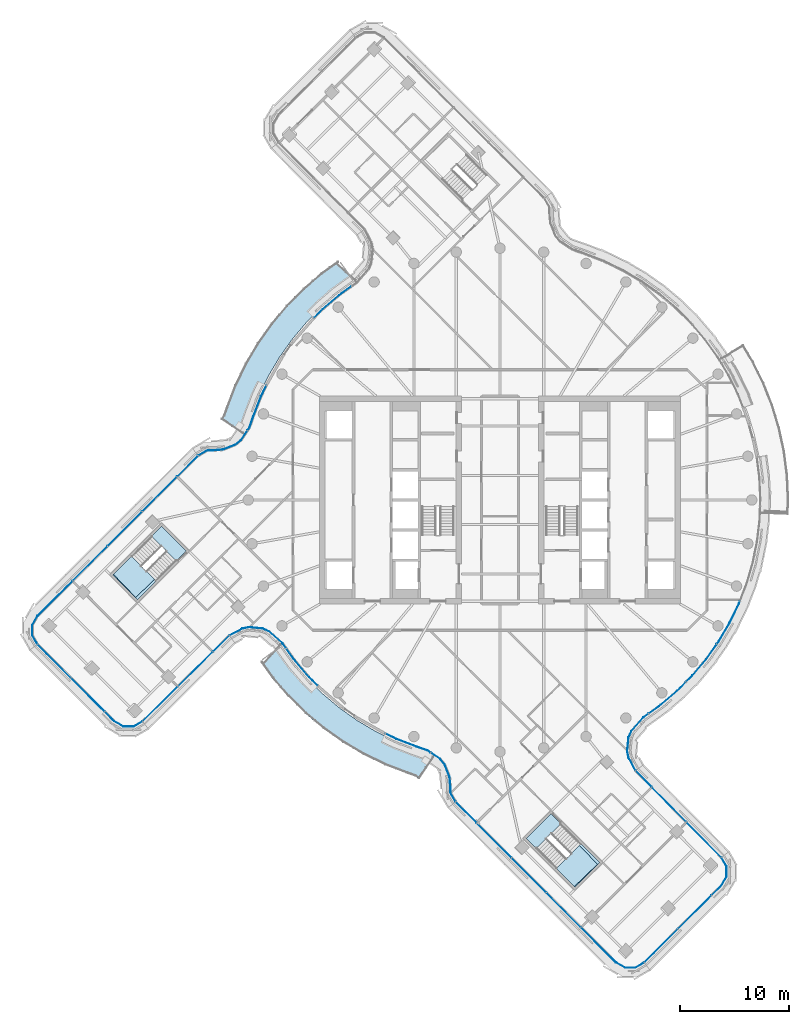
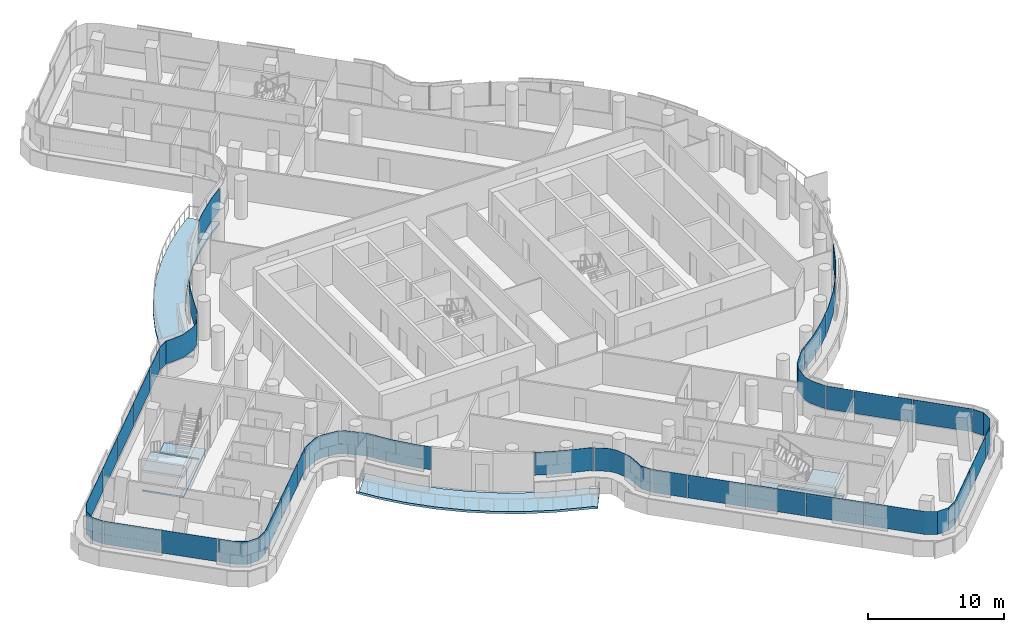
# One storey, part 16 of 31: 33 plates, 6 slabs, 11 elements without a shape of their own.
"""IFC4 building model written with IfcOpenShell, lengths in metres."""

from ifc_helpers import new_model, si_unit, direction, frame, origin, place, context, subcontext, project, spatial, polyline, outline, extrude, material, layer, layer_set, type_object, element, aggregate, save


model = new_model("IFC4")

# Units and contexts
model_context = context("Model", 3, precision=1e-05, world=origin(), true_north=direction((0.0, 1.0)))
body_context = subcontext(model_context, "Body", "Model", "MODEL_VIEW")
ifc_project = project(units=[si_unit("LENGTHUNIT", "METRE"), si_unit("AREAUNIT", "SQUARE_METRE"), si_unit("VOLUMEUNIT", "CUBIC_METRE"), si_unit("PLANEANGLEUNIT", "RADIAN"), si_unit("MASSUNIT", "GRAM", prefix="KILO")], contexts=[model_context])

# Site, building, storey
site_placement = place(None, origin())
site = spatial("IfcSite", under=ifc_project, at=site_placement, CompositionType="ELEMENT")
building_placement = place(site_placement, origin())
building = spatial("IfcBuilding", under=site, at=building_placement, Name="Tamarind Cross Interchange Tower", CompositionType="ELEMENT")
storey_placement = place(building_placement, frame((0.0, 0.0, 196.89990234375)))
storey = spatial("IfcBuildingStorey", under=building, at=storey_placement, Name="L49", CompositionType="ELEMENT", Elevation=196.89990234375)

# Slabs
ifc_material_1 = material(Name="Precast concrete C40", Category="concrete")
ifc_layer_1 = layer(ifc_material_1, 0.199951171875)
ifc_layer_set_1 = layer_set([ifc_layer_1], Name="Precast concrete C40")
slab_type_1 = type_object("IfcSlabType", Name="Balcony slab", PredefinedType="BASESLAB", material=ifc_layer_set_1)
slab_1_placement = place(storey_placement, frame((0.0, 0.0, -0.199951171875)))
element("IfcSlab", 1, at=slab_1_placement, inside=storey, type_object=slab_type_1, Name="SLB-L49-BAL06", PredefinedType="BASESLAB", context=body_context, shape_type="SweptSolid", body=[
    extrude(outline(polyline([(-13.2080078125, 20.047119140625), (-13.239990234375, 20.01123046875), (-14.820068359375, 18.87255859375), (-16.327880859375, 17.584228515625), (-17.72412109375, 16.17578125), (-18.99951171875, 14.656982421875), (-20.14501953125, 13.0380859375), (-21.15283203125, 11.329833984375), (-22.01611328125, 9.54443359375), (-22.72900390625, 7.69384765625), (-23.072265625, 6.697998046875), (-23.47216796875, 6.101318359375), (-25.4658203125, 7.4375), (-25.239501953125, 7.77490234375), (-24.984130859375, 8.516357421875), (-24.219970703125, 10.499755859375), (-23.270263671875, 12.464111328125), (-22.161376953125, 14.343017578125), (-20.9013671875, 16.124267578125), (-19.498291015625, 17.795166015625), (-17.96240234375, 19.344482421875), (-16.303466796875, 20.76171875), (-14.859619140625, 21.80224609375), (-15.0048828125, 21.638427734375), (-13.2080078125, 20.047119140625)])), origin(), (0.0, 0.0, 1.0), 0.199951171875),
])
slab_2_placement = place(storey_placement, frame((0.0, 0.0, -0.199951171875)))
element("IfcSlab", 2, at=slab_2_placement, inside=storey, type_object=slab_type_1, Name="SLB-L49-BAL10", PredefinedType="BASESLAB", context=body_context, shape_type="SweptSolid", body=[
    extrude(outline(polyline([(-20.047119140625, -13.2080078125), (-20.01123046875, -13.239990234375), (-18.87255859375, -14.820068359375), (-17.584228515625, -16.327880859375), (-16.17578125, -17.72412109375), (-14.656982421875, -18.99951171875), (-13.0380859375, -20.14501953125), (-11.329833984375, -21.15283203125), (-9.54443359375, -22.01611328125), (-7.69384765625, -22.72900390625), (-6.697998046875, -23.072265625), (-6.101318359375, -23.47216796875), (-7.4375, -25.4658203125), (-7.77490234375, -25.239501953125), (-8.516357421875, -24.984130859375), (-10.499755859375, -24.219970703125), (-12.464111328125, -23.270263671875), (-14.343017578125, -22.161376953125), (-16.124267578125, -20.9013671875), (-17.795166015625, -19.498291015625), (-19.344482421875, -17.96240234375), (-20.76171875, -16.303466796875), (-21.80224609375, -14.859619140625), (-21.638427734375, -15.0048828125), (-20.047119140625, -13.2080078125)])), origin(), (0.0, 0.0, 1.0), 0.199951171875),
])
ifc_material_2 = material(Name="Concrete C35", Category="concrete")
ifc_layer_2 = layer(ifc_material_2, 0.139892578125)
ifc_layer_set_2 = layer_set([ifc_layer_2], Name="Concrete C35")
slab_type_2 = type_object("IfcSlabType", Name="Composite slab 140 Concrete C35", PredefinedType="FLOOR", material=ifc_layer_set_2)
slab_3_placement = place(storey_placement, frame((0.0, 0.0, -0.139892578125)))
element("IfcSlab", 3, at=slab_3_placement, inside=storey, type_object=slab_type_2, Name="Floor slab L49", PredefinedType="FLOOR", context=body_context, shape_type="SweptSolid", body=[
    extrude(outline(polyline([(-28.65283203125, -4.658447265625), (-30.91259765625, -2.392578125), (-31.783203125, -3.260986328125), (-31.841552734375, -3.319091796875), (-29.701904296875, -5.464599609375), (-33.277587890625, -8.9033203125), (-35.3154296875, -6.7841796875), (-35.373046875, -6.841796875), (-33.11328125, -9.107421875), (-28.65283203125, -4.658447265625)])), origin(), (0.0, 0.0, 1.0), 0.139892578125),
])
slab_4_placement = place(storey_placement, frame((0.0, 0.0, -0.139892578125)))
element("IfcSlab", 4, at=slab_4_placement, inside=storey, type_object=slab_type_2, Name="Floor slab L49", PredefinedType="FLOOR", context=body_context, shape_type="SweptSolid", body=[
    extrude(outline(polyline([(2.392578125, -30.91259765625), (3.260986328125, -31.783203125), (3.319091796875, -31.841552734375), (5.464599609375, -29.701904296875), (8.9033203125, -33.277587890625), (6.7841796875, -35.3154296875), (6.841796875, -35.373046875), (9.107421875, -33.11328125), (4.658447265625, -28.65283203125), (2.392578125, -30.91259765625)])), origin(), (0.0, 0.0, 1.0), 0.139892578125),
])

# Stair, slab
ifc_material_3 = material(Name="Exit stair")
stair_type = type_object("IfcStairType", Name="Exit stair", PredefinedType="HALF_TURN_STAIR", material=ifc_material_3)
stair_1_placement = place(storey_placement, origin())
stair_1 = element("IfcStair", 5, at=stair_1_placement, inside=storey, type_object=stair_type, Name="L49 exit stair ST5", PredefinedType="HALF_TURN_STAIR")
ifc_material_4 = material(Name="Concrete C40", Category="concrete")
ifc_layer_3 = layer(ifc_material_4, 0.199951171875)
ifc_layer_set_3 = layer_set([ifc_layer_3], Name="Concrete C40")
slab_type_3 = type_object("IfcSlabType", Name="Stair landing", PredefinedType="LANDING", material=ifc_layer_set_3)
slab_5_placement = place(storey_placement, frame((0.0, 0.0, 1.60009765625)))
slab_5 = element("IfcSlab", 6, at=slab_5_placement, type_object=slab_type_3, Name="ST5 landing 1", PredefinedType="LANDING", context=body_context, shape_type="SweptSolid", body=[
    extrude(outline(polyline([(-33.665283203125, -5.138427734375), (-35.373046875, -6.841796875), (-33.11328125, -9.107421875), (-31.405517578125, -7.404052734375), (-33.665283203125, -5.138427734375)])), origin(), (0.0, 0.0, 1.0), 0.199951171875),
])
aggregate(stair_1, [slab_5])

stair_2_placement = place(storey_placement, origin())
stair_2 = element("IfcStair", 7, at=stair_2_placement, inside=storey, type_object=stair_type, Name="L49 exit stair ST6", PredefinedType="HALF_TURN_STAIR")
slab_6_placement = place(storey_placement, frame((0.0, 0.0, 1.60009765625)))
slab_6 = element("IfcSlab", 8, at=slab_6_placement, type_object=slab_type_3, Name="ST6 landing 1", PredefinedType="LANDING", context=body_context, shape_type="SweptSolid", body=[
    extrude(outline(polyline([(5.138427734375, -33.665283203125), (6.841796875, -35.373046875), (9.107421875, -33.11328125), (7.404052734375, -31.405517578125), (5.138427734375, -33.665283203125)])), origin(), (0.0, 0.0, 1.0), 0.199951171875),
])
aggregate(stair_2, [slab_6])

# Curtain wall, plates
ifc_material_5 = material(Name="Aluminium 6063-T6", Category="aluminium")
ifc_layer_4 = layer(ifc_material_5, 0.139892578125)
ifc_layer_set_4 = layer_set([ifc_layer_4], Name="Aluminium 6063-T6")
curtain_wall_type = type_object("IfcCurtainWallType", Name="Hotel curtain wall, 4.5 m bays", PredefinedType="NOTDEFINED", material=ifc_layer_set_4)
curtain_wall_1_placement = place(storey_placement, origin())
curtain_wall_1 = element("IfcCurtainWall", 9, at=curtain_wall_1_placement, inside=storey, type_object=curtain_wall_type, Name="CWS-L49-00", PredefinedType="NOTDEFINED")
ifc_material_6 = material(Name="Laminated low-e glass 6+1.52+6", Category="glass")
ifc_layer_5 = layer(ifc_material_6, 0.02392578125)
ifc_layer_set_5 = layer_set([ifc_layer_5], Name="Laminated low-e glass 6+1.52+6")
plate_type = type_object("IfcPlateType", Name="Vision panel CW2", PredefinedType="CURTAIN_PANEL", material=ifc_layer_set_5)
plate_1_placement = place(storey_placement, frame((0.0, 0.0, 1.400146484375)))
plate_1 = element("IfcPlate", 10, at=plate_1_placement, type_object=plate_type, Name="CWP-L49-00-00", PredefinedType="CURTAIN_PANEL", context=body_context, shape_type="SweptSolid", body=[
    extrude(outline(polyline([(13.192138671875, -42.226318359375), (16.226318359375, -39.199951171875), (16.2431640625, -39.216796875), (13.208984375, -42.243408203125), (13.192138671875, -42.226318359375)])), origin(), (0.0, 0.0, 1.0), 2.06005859375),
])
plate_2_placement = place(storey_placement, frame((0.0, 0.0, 1.400146484375)))
plate_2 = element("IfcPlate", 11, at=plate_2_placement, type_object=plate_type, Name="CWP-L49-00-01", PredefinedType="CURTAIN_PANEL", context=body_context, shape_type="SweptSolid", body=[
    extrude(outline(polyline([(16.268798828125, -39.157470703125), (19.302978515625, -36.131103515625), (19.320068359375, -36.14794921875), (16.28564453125, -39.174560546875), (16.268798828125, -39.157470703125)])), origin(), (0.0, 0.0, 1.0), 2.06005859375),
])
plate_3_placement = place(storey_placement, frame((0.0, 0.0, 1.400146484375)))
plate_3 = element("IfcPlate", 12, at=plate_3_placement, type_object=plate_type, Name="CWP-L49-00-02", PredefinedType="CURTAIN_PANEL", context=body_context, shape_type="SweptSolid", body=[
    extrude(outline(polyline([(19.345458984375, -36.088623046875), (20.212646484375, -35.223876953125), (20.68896484375, -34.4013671875), (20.68994140625, -33.479736328125), (20.229736328125, -32.68017578125), (20.250732421875, -32.668212890625), (20.714111328125, -33.47314453125), (20.712890625, -34.40771484375), (20.231689453125, -35.238525390625), (19.362548828125, -36.105712890625), (19.345458984375, -36.088623046875)])), origin(), (0.0, 0.0, 1.0), 2.06005859375),
])
aggregate(curtain_wall_1, [plate_1, plate_2, plate_3])

curtain_wall_2_placement = place(storey_placement, origin())
curtain_wall_2 = element("IfcCurtainWall", 13, at=curtain_wall_2_placement, inside=storey, type_object=curtain_wall_type, Name="CWS-L49-01", PredefinedType="NOTDEFINED")
plate_4_placement = place(storey_placement, frame((0.0, 0.0, 1.400146484375)))
plate_4 = element("IfcPlate", 14, at=plate_4_placement, type_object=plate_type, Name="CWP-L49-01-00", PredefinedType="CURTAIN_PANEL", context=body_context, shape_type="SweptSolid", body=[
    extrude(outline(polyline([(20.195556640625, -32.63525390625), (17.037109375, -29.44384765625), (17.05419921875, -29.427001953125), (20.212646484375, -32.618408203125), (20.195556640625, -32.63525390625)])), origin(), (0.0, 0.0, 1.0), 2.06005859375),
])
plate_5_placement = place(storey_placement, frame((0.0, 0.0, 1.400146484375)))
plate_5 = element("IfcPlate", 15, at=plate_5_placement, type_object=plate_type, Name="CWP-L49-01-01", PredefinedType="CURTAIN_PANEL", context=body_context, shape_type="SweptSolid", body=[
    extrude(outline(polyline([(16.994873046875, -29.401123046875), (13.87060546875, -26.244384765625), (13.8876953125, -26.2275390625), (17.011962890625, -29.38427734375), (16.994873046875, -29.401123046875)])), origin(), (0.0, 0.0, 1.0), 2.06005859375),
])
plate_6_placement = place(storey_placement, frame((0.0, 0.0, 1.400146484375)))
plate_6 = element("IfcPlate", 16, at=plate_6_placement, type_object=plate_type, Name="CWP-L49-01-02", PredefinedType="CURTAIN_PANEL", context=body_context, shape_type="SweptSolid", body=[
    extrude(outline(polyline([(13.828369140625, -26.201904296875), (12.396728515625, -24.75537109375), (12.413818359375, -24.73828125), (13.845458984375, -26.18505859375), (13.828369140625, -26.201904296875)])), origin(), (0.0, 0.0, 1.0), 2.06005859375),
])
aggregate(curtain_wall_2, [plate_4, plate_5, plate_6])

curtain_wall_3_placement = place(storey_placement, origin())
curtain_wall_3 = element("IfcCurtainWall", 17, at=curtain_wall_3_placement, inside=storey, type_object=curtain_wall_type, Name="CWS-L49-02", PredefinedType="NOTDEFINED")
plate_7_placement = place(storey_placement, frame((0.0, 0.0, 1.400146484375)))
plate_7 = element("IfcPlate", 18, at=plate_7_placement, type_object=plate_type, Name="CWP-L49-02-00", PredefinedType="CURTAIN_PANEL", context=body_context, shape_type="SweptSolid", body=[
    extrude(outline(polyline([(12.359375, -24.70458984375), (11.7333984375, -23.525634765625), (11.612548828125, -22.903564453125), (11.73876953125, -21.69287109375), (11.98681640625, -21.1064453125), (13.096923828125, -19.85302734375), (13.538818359375, -19.534423828125), (13.552978515625, -19.553955078125), (13.113037109375, -19.870849609375), (12.00732421875, -21.119384765625), (11.762451171875, -21.698974609375), (11.63671875, -22.902587890625), (11.75634765625, -23.517578125), (12.380615234375, -24.693359375), (12.359375, -24.70458984375)])), origin(), (0.0, 0.0, 1.0), 2.06005859375),
])
plate_8_placement = place(storey_placement, frame((0.0, 0.0, 1.400146484375)))
plate_8 = element("IfcPlate", 19, at=plate_8_placement, type_object=plate_type, Name="CWP-L49-02-01", PredefinedType="CURTAIN_PANEL", context=body_context, shape_type="SweptSolid", body=[
    extrude(outline(polyline([(13.58740234375, -19.49951171875), (14.68896484375, -18.705810546875), (16.183349609375, -17.4287109375), (16.960205078125, -16.645263671875), (16.977294921875, -16.662109375), (16.19970703125, -17.4462890625), (14.703857421875, -18.724609375), (13.6015625, -19.518798828125), (13.58740234375, -19.49951171875)])), origin(), (0.0, 0.0, 1.0), 2.06005859375),
])
plate_9_placement = place(storey_placement, frame((0.0, 0.0, 1.400146484375)))
plate_9 = element("IfcPlate", 20, at=plate_9_placement, type_object=plate_type, Name="CWP-L49-02-02", PredefinedType="CURTAIN_PANEL", context=body_context, shape_type="SweptSolid", body=[
    extrude(outline(polyline([(17.00244140625, -16.602783203125), (17.5673828125, -16.032958984375), (18.83154296875, -14.52734375), (19.77685546875, -13.19091796875), (19.796630859375, -13.204833984375), (18.850341796875, -14.5419921875), (17.585205078125, -16.049072265625), (17.01953125, -16.61962890625), (17.00244140625, -16.602783203125)])), origin(), (0.0, 0.0, 1.0), 2.06005859375),
])
plate_10_placement = place(storey_placement, frame((0.0, 0.0, 1.400146484375)))
plate_10 = element("IfcPlate", 21, at=plate_10_placement, type_object=plate_type, Name="CWP-L49-02-03", PredefinedType="CURTAIN_PANEL", context=body_context, shape_type="SweptSolid", body=[
    extrude(outline(polyline([(19.8115234375, -13.14208984375), (19.966796875, -12.922607421875), (20.9658203125, -11.229736328125), (21.821533203125, -9.4599609375), (21.89453125, -9.270263671875), (21.9169921875, -9.27880859375), (21.843505859375, -9.469482421875), (20.98681640625, -11.240966796875), (19.987060546875, -12.935791015625), (19.831298828125, -13.15576171875), (19.8115234375, -13.14208984375)])), origin(), (0.0, 0.0, 1.0), 2.06005859375),
])
aggregate(curtain_wall_3, [plate_7, plate_8, plate_9, plate_10])

curtain_wall_4_placement = place(storey_placement, origin())
curtain_wall_4 = element("IfcCurtainWall", 22, at=curtain_wall_4_placement, inside=storey, type_object=curtain_wall_type, Name="CWS-L49-06", PredefinedType="NOTDEFINED")
plate_11_placement = place(storey_placement, frame((0.0, 0.0, 1.400146484375)))
plate_11 = element("IfcPlate", 23, at=plate_11_placement, type_object=plate_type, Name="CWP-L49-06-01", PredefinedType="CURTAIN_PANEL", context=body_context, shape_type="SweptSolid", body=[
    extrude(outline(polyline([(-13.58740234375, 19.49951171875), (-14.68896484375, 18.705810546875), (-16.183349609375, 17.4287109375), (-16.960205078125, 16.645263671875), (-16.977294921875, 16.662109375), (-16.19970703125, 17.4462890625), (-14.703857421875, 18.724609375), (-13.6015625, 19.518798828125), (-13.58740234375, 19.49951171875)])), origin(), (0.0, 0.0, 1.0), 2.06005859375),
])
plate_12_placement = place(storey_placement, frame((0.0, 0.0, 1.400146484375)))
plate_12 = element("IfcPlate", 24, at=plate_12_placement, type_object=plate_type, Name="CWP-L49-06-03", PredefinedType="CURTAIN_PANEL", context=body_context, shape_type="SweptSolid", body=[
    extrude(outline(polyline([(-21.34912109375, 10.4365234375), (-21.821533203125, 9.4599609375), (-22.530029296875, 7.62109375), (-22.880615234375, 6.60302734375), (-23.05078125, 6.34912109375), (-23.07080078125, 6.3623046875), (-22.90234375, 6.61376953125), (-22.552490234375, 7.62939453125), (-21.843505859375, 9.469482421875), (-21.370849609375, 10.447021484375), (-21.34912109375, 10.4365234375)])), origin(), (0.0, 0.0, 1.0), 2.06005859375),
])
plate_13_placement = place(storey_placement, frame((0.0, 0.0, 1.400146484375)))
plate_13 = element("IfcPlate", 25, at=plate_13_placement, type_object=plate_type, Name="CWP-L49-06-04", PredefinedType="CURTAIN_PANEL", context=body_context, shape_type="SweptSolid", body=[
    extrude(outline(polyline([(-23.084228515625, 6.29931640625), (-23.651611328125, 5.45263671875), (-24.15234375, 5.048095703125), (-25.301025390625, 4.591796875), (-26.2177734375, 4.513671875), (-26.779296875, 4.497802734375), (-27.5439453125, 4.047607421875), (-27.55615234375, 4.068359375), (-26.7861328125, 4.521728515625), (-26.21923828125, 4.53759765625), (-25.306640625, 4.615234375), (-24.16455078125, 5.069091796875), (-23.66943359375, 5.468994140625), (-23.104248046875, 6.3125), (-23.084228515625, 6.29931640625)])), origin(), (0.0, 0.0, 1.0), 2.06005859375),
])
aggregate(curtain_wall_4, [plate_11, plate_12, plate_13])

curtain_wall_5_placement = place(storey_placement, origin())
curtain_wall_5 = element("IfcCurtainWall", 26, at=curtain_wall_5_placement, inside=storey, type_object=curtain_wall_type, Name="CWS-L49-07", PredefinedType="NOTDEFINED")
plate_14_placement = place(storey_placement, frame((0.0, 0.0, 1.400146484375)))
plate_14 = element("IfcPlate", 27, at=plate_14_placement, type_object=plate_type, Name="CWP-L49-07-00", PredefinedType="CURTAIN_PANEL", context=body_context, shape_type="SweptSolid", body=[
    extrude(outline(polyline([(-27.588623046875, 4.012939453125), (-29.47607421875, 2.130615234375), (-29.492919921875, 2.1474609375), (-27.605712890625, 4.030029296875), (-27.588623046875, 4.012939453125)])), origin(), (0.0, 0.0, 1.0), 2.06005859375),
])
plate_15_placement = place(storey_placement, frame((0.0, 0.0, 1.400146484375)))
plate_15 = element("IfcPlate", 28, at=plate_15_placement, type_object=plate_type, Name="CWP-L49-07-01", PredefinedType="CURTAIN_PANEL", context=body_context, shape_type="SweptSolid", body=[
    extrude(outline(polyline([(-29.5185546875, 2.088134765625), (-32.654052734375, -1.039306640625), (-32.671142578125, -1.0224609375), (-29.535400390625, 2.105224609375), (-29.5185546875, 2.088134765625)])), origin(), (0.0, 0.0, 1.0), 2.06005859375),
])
plate_16_placement = place(storey_placement, frame((0.0, 0.0, 1.400146484375)))
plate_16 = element("IfcPlate", 29, at=plate_16_placement, type_object=plate_type, Name="CWP-L49-07-02", PredefinedType="CURTAIN_PANEL", context=body_context, shape_type="SweptSolid", body=[
    extrude(outline(polyline([(-32.696533203125, -1.081787109375), (-35.832275390625, -4.20947265625), (-35.84912109375, -4.1923828125), (-32.713623046875, -1.064697265625), (-32.696533203125, -1.081787109375)])), origin(), (0.0, 0.0, 1.0), 2.06005859375),
])
plate_17_placement = place(storey_placement, frame((0.0, 0.0, 1.400146484375)))
plate_17 = element("IfcPlate", 30, at=plate_17_placement, type_object=plate_type, Name="CWP-L49-07-03", PredefinedType="CURTAIN_PANEL", context=body_context, shape_type="SweptSolid", body=[
    extrude(outline(polyline([(-35.874755859375, -4.251708984375), (-39.010498046875, -7.37939453125), (-39.02734375, -7.3623046875), (-35.8916015625, -4.23486328125), (-35.874755859375, -4.251708984375)])), origin(), (0.0, 0.0, 1.0), 2.06005859375),
])
plate_18_placement = place(storey_placement, frame((0.0, 0.0, 1.400146484375)))
plate_18 = element("IfcPlate", 31, at=plate_18_placement, type_object=plate_type, Name="CWP-L49-07-04", PredefinedType="CURTAIN_PANEL", context=body_context, shape_type="SweptSolid", body=[
    extrude(outline(polyline([(-39.052978515625, -7.421875), (-42.2431640625, -10.603759765625), (-42.719482421875, -11.426513671875), (-42.720703125, -12.34814453125), (-42.2607421875, -13.147216796875), (-42.281494140625, -13.1591796875), (-42.74462890625, -12.3544921875), (-42.743408203125, -11.419921875), (-42.262451171875, -10.589111328125), (-39.06982421875, -7.40478515625), (-39.052978515625, -7.421875)])), origin(), (0.0, 0.0, 1.0), 2.06005859375),
])
aggregate(curtain_wall_5, [plate_14, plate_15, plate_16, plate_17, plate_18])

curtain_wall_6_placement = place(storey_placement, origin())
curtain_wall_6 = element("IfcCurtainWall", 32, at=curtain_wall_6_placement, inside=storey, type_object=curtain_wall_type, Name="CWS-L49-08", PredefinedType="NOTDEFINED")
plate_19_placement = place(storey_placement, frame((0.0, 0.0, 1.400146484375)))
plate_19 = element("IfcPlate", 33, at=plate_19_placement, type_object=plate_type, Name="CWP-L49-08-00", PredefinedType="CURTAIN_PANEL", context=body_context, shape_type="SweptSolid", body=[
    extrude(outline(polyline([(-42.226318359375, -13.192138671875), (-39.199951171875, -16.226318359375), (-39.216796875, -16.2431640625), (-42.243408203125, -13.208984375), (-42.226318359375, -13.192138671875)])), origin(), (0.0, 0.0, 1.0), 2.06005859375),
])
plate_20_placement = place(storey_placement, frame((0.0, 0.0, 1.400146484375)))
plate_20 = element("IfcPlate", 34, at=plate_20_placement, type_object=plate_type, Name="CWP-L49-08-01", PredefinedType="CURTAIN_PANEL", context=body_context, shape_type="SweptSolid", body=[
    extrude(outline(polyline([(-39.157470703125, -16.268798828125), (-36.131103515625, -19.302978515625), (-36.14794921875, -19.320068359375), (-39.174560546875, -16.28564453125), (-39.157470703125, -16.268798828125)])), origin(), (0.0, 0.0, 1.0), 2.06005859375),
])
plate_21_placement = place(storey_placement, frame((0.0, 0.0, 1.400146484375)))
plate_21 = element("IfcPlate", 35, at=plate_21_placement, type_object=plate_type, Name="CWP-L49-08-02", PredefinedType="CURTAIN_PANEL", context=body_context, shape_type="SweptSolid", body=[
    extrude(outline(polyline([(-36.088623046875, -19.345458984375), (-35.223876953125, -20.212646484375), (-34.4013671875, -20.68896484375), (-33.479736328125, -20.68994140625), (-32.68017578125, -20.229736328125), (-32.668212890625, -20.250732421875), (-33.47314453125, -20.714111328125), (-34.40771484375, -20.712890625), (-35.238525390625, -20.231689453125), (-36.105712890625, -19.362548828125), (-36.088623046875, -19.345458984375)])), origin(), (0.0, 0.0, 1.0), 2.06005859375),
])
aggregate(curtain_wall_6, [plate_19, plate_20, plate_21])

curtain_wall_7_placement = place(storey_placement, origin())
curtain_wall_7 = element("IfcCurtainWall", 36, at=curtain_wall_7_placement, inside=storey, type_object=curtain_wall_type, Name="CWS-L49-09", PredefinedType="NOTDEFINED")
plate_22_placement = place(storey_placement, frame((0.0, 0.0, 1.400146484375)))
plate_22 = element("IfcPlate", 37, at=plate_22_placement, type_object=plate_type, Name="CWP-L49-09-00", PredefinedType="CURTAIN_PANEL", context=body_context, shape_type="SweptSolid", body=[
    extrude(outline(polyline([(-32.63525390625, -20.195556640625), (-29.44384765625, -17.037109375), (-29.427001953125, -17.05419921875), (-32.618408203125, -20.212646484375), (-32.63525390625, -20.195556640625)])), origin(), (0.0, 0.0, 1.0), 2.06005859375),
])
plate_23_placement = place(storey_placement, frame((0.0, 0.0, 1.400146484375)))
plate_23 = element("IfcPlate", 38, at=plate_23_placement, type_object=plate_type, Name="CWP-L49-09-01", PredefinedType="CURTAIN_PANEL", context=body_context, shape_type="SweptSolid", body=[
    extrude(outline(polyline([(-29.401123046875, -16.994873046875), (-26.244384765625, -13.87060546875), (-26.2275390625, -13.8876953125), (-29.38427734375, -17.011962890625), (-29.401123046875, -16.994873046875)])), origin(), (0.0, 0.0, 1.0), 2.06005859375),
])
plate_24_placement = place(storey_placement, frame((0.0, 0.0, 1.400146484375)))
plate_24 = element("IfcPlate", 39, at=plate_24_placement, type_object=plate_type, Name="CWP-L49-09-02", PredefinedType="CURTAIN_PANEL", context=body_context, shape_type="SweptSolid", body=[
    extrude(outline(polyline([(-26.201904296875, -13.828369140625), (-24.75537109375, -12.396728515625), (-24.73828125, -12.413818359375), (-26.18505859375, -13.845458984375), (-26.201904296875, -13.828369140625)])), origin(), (0.0, 0.0, 1.0), 2.06005859375),
])
aggregate(curtain_wall_7, [plate_22, plate_23, plate_24])

curtain_wall_8_placement = place(storey_placement, origin())
curtain_wall_8 = element("IfcCurtainWall", 40, at=curtain_wall_8_placement, inside=storey, type_object=curtain_wall_type, Name="CWS-L49-10", PredefinedType="NOTDEFINED")
plate_25_placement = place(storey_placement, frame((0.0, 0.0, 1.400146484375)))
plate_25 = element("IfcPlate", 41, at=plate_25_placement, type_object=plate_type, Name="CWP-L49-10-00", PredefinedType="CURTAIN_PANEL", context=body_context, shape_type="SweptSolid", body=[
    extrude(outline(polyline([(-24.70458984375, -12.359375), (-23.525634765625, -11.7333984375), (-22.903564453125, -11.612548828125), (-21.69287109375, -11.73876953125), (-21.1064453125, -11.98681640625), (-19.85302734375, -13.096923828125), (-19.534423828125, -13.538818359375), (-19.553955078125, -13.552978515625), (-19.870849609375, -13.113037109375), (-21.119384765625, -12.00732421875), (-21.698974609375, -11.762451171875), (-22.902587890625, -11.63671875), (-23.517578125, -11.75634765625), (-24.693359375, -12.380615234375), (-24.70458984375, -12.359375)])), origin(), (0.0, 0.0, 1.0), 2.06005859375),
])
plate_26_placement = place(storey_placement, frame((0.0, 0.0, 1.400146484375)))
plate_26 = element("IfcPlate", 42, at=plate_26_placement, type_object=plate_type, Name="CWP-L49-10-01", PredefinedType="CURTAIN_PANEL", context=body_context, shape_type="SweptSolid", body=[
    extrude(outline(polyline([(-19.49951171875, -13.58740234375), (-18.705810546875, -14.68896484375), (-17.4287109375, -16.183349609375), (-16.645263671875, -16.960205078125), (-16.662109375, -16.977294921875), (-17.4462890625, -16.19970703125), (-18.724609375, -14.703857421875), (-19.518798828125, -13.6015625), (-19.49951171875, -13.58740234375)])), origin(), (0.0, 0.0, 1.0), 2.06005859375),
])
plate_27_placement = place(storey_placement, frame((0.0, 0.0, 1.400146484375)))
plate_27 = element("IfcPlate", 43, at=plate_27_placement, type_object=plate_type, Name="CWP-L49-10-03", PredefinedType="CURTAIN_PANEL", context=body_context, shape_type="SweptSolid", body=[
    extrude(outline(polyline([(-10.4365234375, -21.34912109375), (-9.4599609375, -21.821533203125), (-7.62109375, -22.530029296875), (-6.60302734375, -22.880615234375), (-6.34912109375, -23.05078125), (-6.3623046875, -23.07080078125), (-6.61376953125, -22.90234375), (-7.62939453125, -22.552490234375), (-9.469482421875, -21.843505859375), (-10.447021484375, -21.370849609375), (-10.4365234375, -21.34912109375)])), origin(), (0.0, 0.0, 1.0), 2.06005859375),
])
plate_28_placement = place(storey_placement, frame((0.0, 0.0, 1.400146484375)))
plate_28 = element("IfcPlate", 44, at=plate_28_placement, type_object=plate_type, Name="CWP-L49-10-04", PredefinedType="CURTAIN_PANEL", context=body_context, shape_type="SweptSolid", body=[
    extrude(outline(polyline([(-6.29931640625, -23.084228515625), (-5.45263671875, -23.651611328125), (-5.048095703125, -24.15234375), (-4.591796875, -25.301025390625), (-4.513671875, -26.2177734375), (-4.497802734375, -26.779296875), (-4.047607421875, -27.5439453125), (-4.068359375, -27.55615234375), (-4.521728515625, -26.7861328125), (-4.53759765625, -26.21923828125), (-4.615234375, -25.306640625), (-5.069091796875, -24.16455078125), (-5.468994140625, -23.66943359375), (-6.3125, -23.104248046875), (-6.29931640625, -23.084228515625)])), origin(), (0.0, 0.0, 1.0), 2.06005859375),
])
aggregate(curtain_wall_8, [plate_25, plate_26, plate_27, plate_28])

curtain_wall_9_placement = place(storey_placement, origin())
curtain_wall_9 = element("IfcCurtainWall", 45, at=curtain_wall_9_placement, inside=storey, type_object=curtain_wall_type, Name="CWS-L49-11", PredefinedType="NOTDEFINED")
plate_29_placement = place(storey_placement, frame((0.0, 0.0, 1.400146484375)))
plate_29 = element("IfcPlate", 46, at=plate_29_placement, type_object=plate_type, Name="CWP-L49-11-00", PredefinedType="CURTAIN_PANEL", context=body_context, shape_type="SweptSolid", body=[
    extrude(outline(polyline([(-4.012939453125, -27.588623046875), (-2.130615234375, -29.47607421875), (-2.1474609375, -29.492919921875), (-4.030029296875, -27.605712890625), (-4.012939453125, -27.588623046875)])), origin(), (0.0, 0.0, 1.0), 2.06005859375),
])
plate_30_placement = place(storey_placement, frame((0.0, 0.0, 1.400146484375)))
plate_30 = element("IfcPlate", 47, at=plate_30_placement, type_object=plate_type, Name="CWP-L49-11-01", PredefinedType="CURTAIN_PANEL", context=body_context, shape_type="SweptSolid", body=[
    extrude(outline(polyline([(-2.088134765625, -29.5185546875), (1.039306640625, -32.654052734375), (1.0224609375, -32.671142578125), (-2.105224609375, -29.535400390625), (-2.088134765625, -29.5185546875)])), origin(), (0.0, 0.0, 1.0), 2.06005859375),
])
plate_31_placement = place(storey_placement, frame((0.0, 0.0, 1.400146484375)))
plate_31 = element("IfcPlate", 48, at=plate_31_placement, type_object=plate_type, Name="CWP-L49-11-02", PredefinedType="CURTAIN_PANEL", context=body_context, shape_type="SweptSolid", body=[
    extrude(outline(polyline([(1.081787109375, -32.696533203125), (4.20947265625, -35.832275390625), (4.1923828125, -35.84912109375), (1.064697265625, -32.713623046875), (1.081787109375, -32.696533203125)])), origin(), (0.0, 0.0, 1.0), 2.06005859375),
])
plate_32_placement = place(storey_placement, frame((0.0, 0.0, 1.400146484375)))
plate_32 = element("IfcPlate", 49, at=plate_32_placement, type_object=plate_type, Name="CWP-L49-11-03", PredefinedType="CURTAIN_PANEL", context=body_context, shape_type="SweptSolid", body=[
    extrude(outline(polyline([(4.251708984375, -35.874755859375), (7.37939453125, -39.010498046875), (7.3623046875, -39.02734375), (4.23486328125, -35.8916015625), (4.251708984375, -35.874755859375)])), origin(), (0.0, 0.0, 1.0), 2.06005859375),
])
plate_33_placement = place(storey_placement, frame((0.0, 0.0, 1.400146484375)))
plate_33 = element("IfcPlate", 50, at=plate_33_placement, type_object=plate_type, Name="CWP-L49-11-04", PredefinedType="CURTAIN_PANEL", context=body_context, shape_type="SweptSolid", body=[
    extrude(outline(polyline([(7.421875, -39.052978515625), (10.603759765625, -42.2431640625), (11.426513671875, -42.719482421875), (12.34814453125, -42.720703125), (13.147216796875, -42.2607421875), (13.1591796875, -42.281494140625), (12.3544921875, -42.74462890625), (11.419921875, -42.743408203125), (10.589111328125, -42.262451171875), (7.40478515625, -39.06982421875), (7.421875, -39.052978515625)])), origin(), (0.0, 0.0, 1.0), 2.06005859375),
])
aggregate(curtain_wall_9, [plate_29, plate_30, plate_31, plate_32, plate_33])

save(model, "model.ifc")
